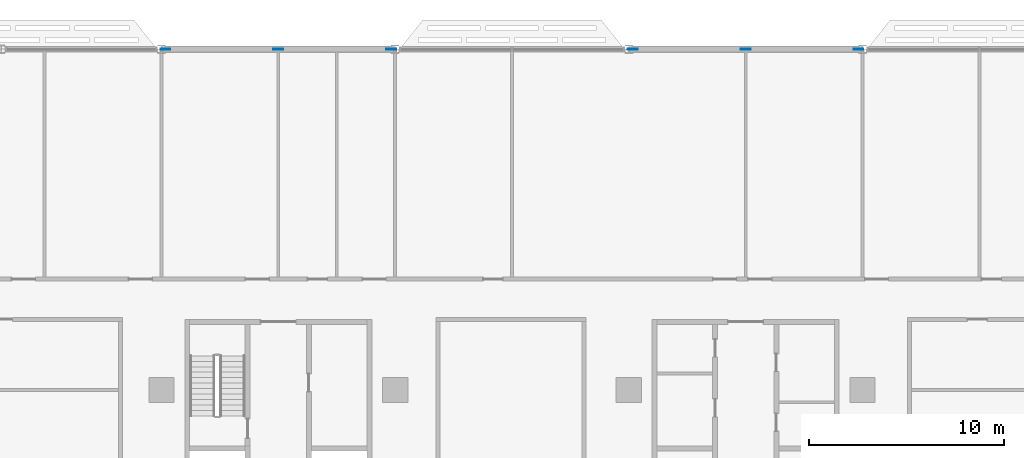
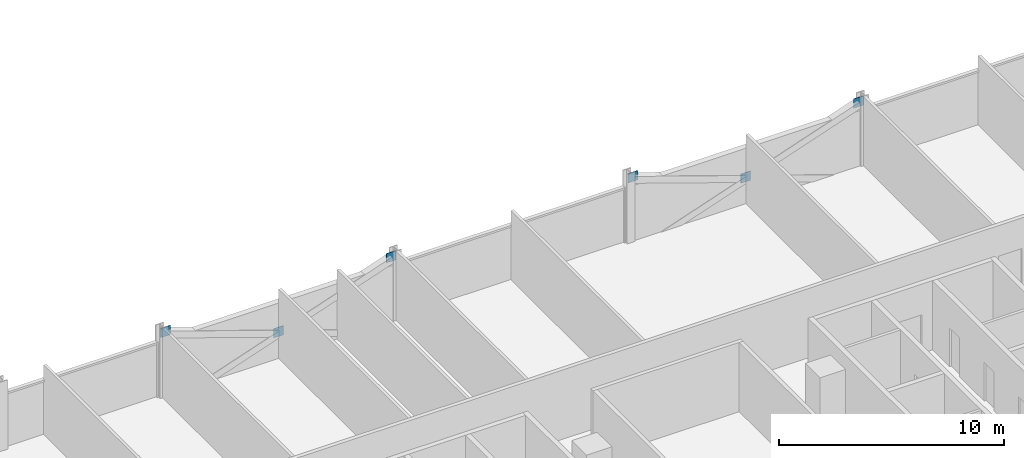
# One storey, part 22 of 29: 6 discrete accessories.
"""IFC4 building model written with IfcOpenShell, lengths in metres."""

from ifc_helpers import new_model, si_unit, direction, frame, origin, origin_2d, place, context, subcontext, project, spatial, rectangle, extrude, material, layer, layer_set, type_object, element, save


model = new_model("IFC4")

# Units and contexts
model_context = context("Model", 3, precision=1e-05, world=origin(), true_north=direction((0.0, 1.0)))
body_context = subcontext(model_context, "Body", "Model", "MODEL_VIEW")
ifc_project = project(units=[si_unit("LENGTHUNIT", "METRE"), si_unit("AREAUNIT", "SQUARE_METRE"), si_unit("VOLUMEUNIT", "CUBIC_METRE"), si_unit("PLANEANGLEUNIT", "RADIAN"), si_unit("MASSUNIT", "GRAM", prefix="KILO")], contexts=[model_context])

# Site, building, storey
site_placement = place(None, origin())
site = spatial("IfcSite", under=ifc_project, at=site_placement, CompositionType="ELEMENT")
building_placement = place(site_placement, origin())
building = spatial("IfcBuilding", under=site, at=building_placement, Name="Mahtab Terrace Research Tower", CompositionType="ELEMENT")
storey_placement = place(building_placement, frame((0.0, 0.0, 126.10009765625)))
storey = spatial("IfcBuildingStorey", under=building, at=storey_placement, Name="L29", CompositionType="ELEMENT", Elevation=126.10009765625)

# Discrete accessories
ifc_material = material(Name="Steel ASTM A992 Gr 50", Category="steel")
ifc_layer = layer(ifc_material, 0.030029296875)
ifc_layer_set = layer_set([ifc_layer], Name="Gusset plate 500x500x30")
discrete_accessory_type = type_object("IfcDiscreteAccessoryType", Name="Gusset plate 500x500x30", PredefinedType="USERDEFINED", material=ifc_layer_set)
for number, where, z_axis, x_axis, name in (
    (1, (-29.794189453125, 29.0, 3.13134765625), (0.0, 0.0, 1.0), (1.0, 0.0, 0.0), "Gusset plate"),
    (2, (-24.0, 29.0, 1.081298828125), (0.0, 0.0, 1.0), (1.0, 0.0, 0.0), "Gusset plate"),
    (3, (-18.205810546875, 29.0, 3.13134765625), (0.0, 0.0, 1.0), (1.0, 0.0, 0.0), "Gusset plate"),
    (4, (-5.794189453125, 29.0, 3.13134765625), (0.0, 0.0, 1.0), (1.0, 0.0, 0.0), "Gusset plate"),
    (5, (0.0, 29.0, 1.081298828125), (0.0, 0.0, 1.0), (1.0, 0.0, 0.0), "Gusset plate"),
    (6, (5.794189453125, 29.0, 3.13134765625), (0.0, 0.0, 1.0), (1.0, 0.0, 0.0), "Gusset plate"),
):
    element("IfcDiscreteAccessory", number, at=place(storey_placement, frame(where, z_axis=z_axis, x_axis=x_axis)), inside=storey, type_object=discrete_accessory_type, Name=name, ObjectType="GUSSET PLATE", PredefinedType="USERDEFINED", context=body_context, shape_type="SweptSolid", body=[
        extrude(rectangle(XDim=0.5, YDim=0.030029296875, at=origin_2d()), origin(), (0.0, 0.0, 1.0), 0.5),
    ])

save(model, "model.ifc")
